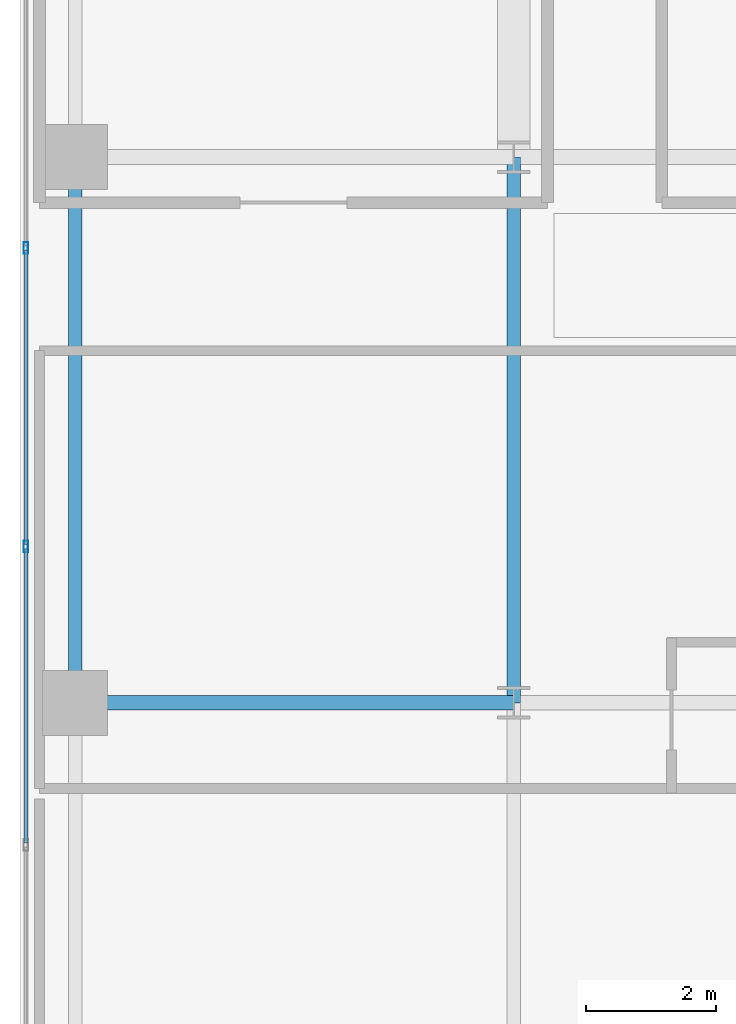
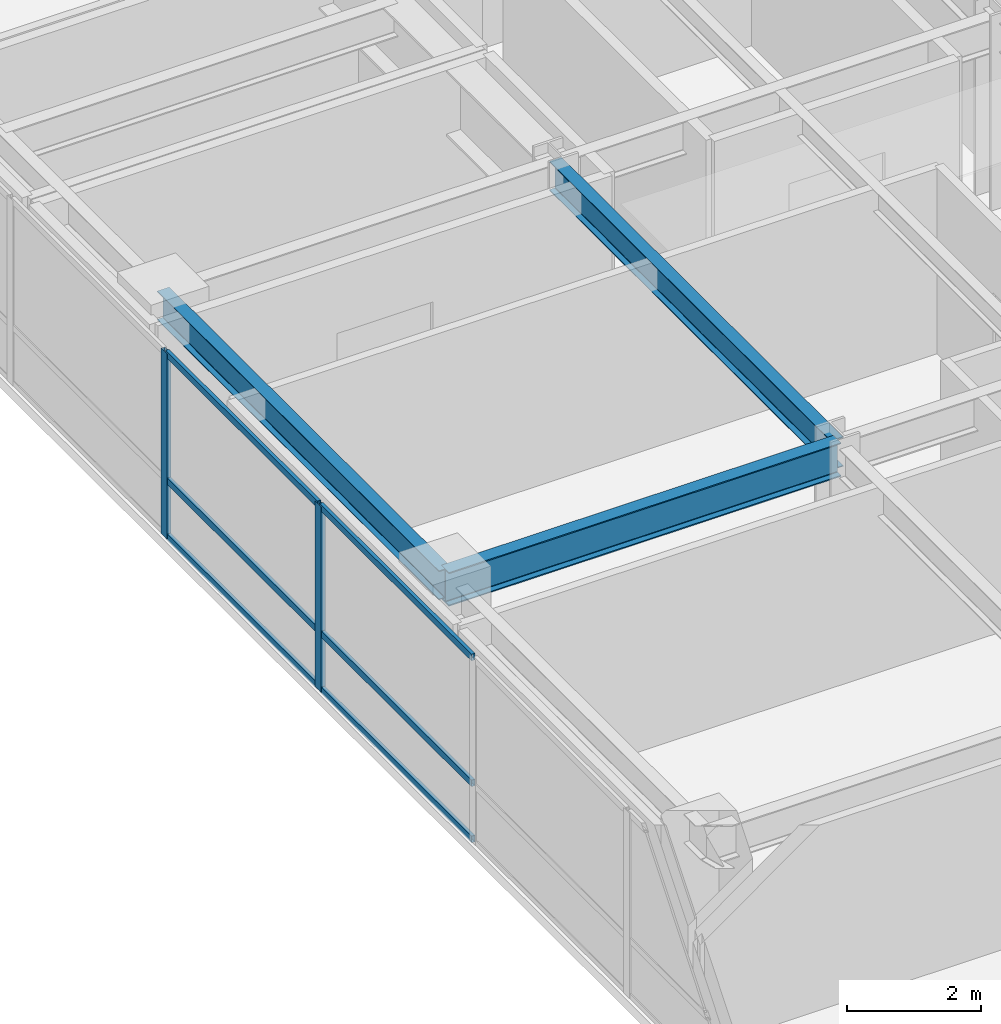
# One storey, part 8 of 37: 8 members, 3 beams, 1 element without a shape of its own.
"""IFC4 building model written with IfcOpenShell, lengths in metres."""

from ifc_helpers import new_model, si_unit, direction, frame, origin, origin_2d, place, context, subcontext, project, spatial, hollow_rectangle, i_section, extrude, source, transform, mapped, material, layer, layer_set, material_profile, profile_set, type_object, type_shapes, element, aggregate, save


model = new_model("IFC4")

# Units and contexts
model_context = context("Model", 3, precision=1e-05, world=origin(), true_north=direction((0.0, 1.0)))
body_context = subcontext(model_context, "Body", "Model", "MODEL_VIEW")
ifc_project = project(units=[si_unit("LENGTHUNIT", "METRE"), si_unit("AREAUNIT", "SQUARE_METRE"), si_unit("VOLUMEUNIT", "CUBIC_METRE"), si_unit("PLANEANGLEUNIT", "RADIAN"), si_unit("MASSUNIT", "GRAM", prefix="KILO")], contexts=[model_context])

# Site, building, storey
site_placement = place(None, origin())
site = spatial("IfcSite", under=ifc_project, at=site_placement, CompositionType="ELEMENT")
building_placement = place(site_placement, origin())
building = spatial("IfcBuilding", under=site, at=building_placement, Name="Tolvann Quenvar Hotel", CompositionType="ELEMENT")
storey_placement = place(building_placement, frame((0.0, 0.0, 53.300048828125)))
storey = spatial("IfcBuildingStorey", under=building, at=storey_placement, Name="L12", CompositionType="ELEMENT", Elevation=53.300048828125)

# Beams
ifc_material_1 = material(Name="Steel Grade 350", Category="steel")
ifc_material_profile_1 = material_profile(ifc_material_1, i_section(OverallWidth=0.22900390625, OverallDepth=0.612060546875, WebThickness=0.011962890625, FlangeThickness=0.01953125, FilletRadius=0.013916015625, at=origin_2d()), Name="610UB125")
ifc_profile_set_1 = profile_set([ifc_material_profile_1], Name="Steel Grade 350")
beam_type_1 = type_object("IfcBeamType", Name="BM_GIRD_610UB125", PredefinedType="BEAM", material=ifc_profile_set_1)
shared_shape_1 = source(origin(), body_context, "Body", "SweptSolid", [
    extrude(i_section(OverallWidth=0.22900390625, OverallDepth=0.612060546875, WebThickness=0.011962890625, FlangeThickness=0.01953125, FilletRadius=0.013916015625, at=origin_2d()), origin(), (0.0, 0.0, 1.0), 6.75),
])
type_shapes(beam_type_1, [shared_shape_1])
beam_1_placement = place(storey_placement, frame((0.85009765625, 16.0, 3.06396484375), z_axis=(1.0, 0.0, 0.0), x_axis=(0.0, 1.0, 0.0)))
element("IfcBeam", 1, at=beam_1_placement, inside=storey, type_object=beam_type_1, Name="BM-L12-EW-4-B4-C4", PredefinedType="BEAM", context=body_context, shape_type="MappedRepresentation", body=[
    mapped(shared_shape_1, transform((0.0, 0.0, 0.0), x_axis=(1.0, 0.0, 0.0), y_axis=(0.0, 1.0, 0.0), z_axis=(0.0, 0.0, 1.0), scale=1.0)),
])
ifc_material_profile_2 = material_profile(ifc_material_1, i_section(OverallWidth=0.208984375, OverallDepth=0.528076171875, WebThickness=0.009521484375, FlangeThickness=0.01318359375, FilletRadius=0.013916015625, at=origin_2d()), Name="530UB82")
ifc_profile_set_2 = profile_set([ifc_material_profile_2], Name="Steel Grade 350")
beam_type_2 = type_object("IfcBeamType", Name="BM_SPAND_530UB82", PredefinedType="SPANDREL", material=ifc_profile_set_2)
shared_shape_2 = source(origin(), body_context, "Body", "SweptSolid", [
    extrude(i_section(OverallWidth=0.208984375, OverallDepth=0.528076171875, WebThickness=0.009521484375, FlangeThickness=0.01318359375, FilletRadius=0.013916015625, at=origin_2d()), origin(), (0.0, 0.0, 1.0), 8.39990234375),
])
type_shapes(beam_type_2, [shared_shape_2])
beam_2_placement = place(storey_placement, frame((0.85009765625, 16.0, 3.10595703125), z_axis=(0.0, 1.0, 0.0), x_axis=(-1.0, 0.0, 0.0)))
element("IfcBeam", 2, at=beam_2_placement, inside=storey, type_object=beam_type_2, Name="BM-L12-NS-B4-B5", PredefinedType="SPANDREL", context=body_context, shape_type="MappedRepresentation", body=[
    mapped(shared_shape_2, transform((0.0, 0.0, 0.0), x_axis=(1.0, 0.0, 0.0), y_axis=(0.0, 1.0, 0.0), z_axis=(0.0, 0.0, 1.0), scale=1.0)),
])
ifc_material_profile_3 = material_profile(ifc_material_1, i_section(OverallWidth=0.208984375, OverallDepth=0.532958984375, WebThickness=0.01025390625, FlangeThickness=0.015625, FilletRadius=0.013916015625, at=origin_2d()), Name="530UB92")
ifc_profile_set_3 = profile_set([ifc_material_profile_3], Name="Steel Grade 350")
beam_type_3 = type_object("IfcBeamType", Name="BM_GIRD_530UB92", PredefinedType="BEAM", material=ifc_profile_set_3)
shared_shape_3 = source(origin(), body_context, "Body", "SweptSolid", [
    extrude(i_section(OverallWidth=0.208984375, OverallDepth=0.532958984375, WebThickness=0.01025390625, FlangeThickness=0.015625, FilletRadius=0.013916015625, at=origin_2d()), origin(), (0.0, 0.0, 1.0), 8.39990234375),
])
type_shapes(beam_type_3, [shared_shape_3])
beam_3_placement = place(storey_placement, frame((7.60009765625, 16.0, 3.103515625), z_axis=(0.0, 1.0, 0.0), x_axis=(-1.0, 0.0, 0.0)))
element("IfcBeam", 3, at=beam_3_placement, inside=storey, type_object=beam_type_3, Name="BM-L12-NS-C4-C5", PredefinedType="BEAM", context=body_context, shape_type="MappedRepresentation", body=[
    mapped(shared_shape_3, transform((0.0, 0.0, 0.0), x_axis=(1.0, 0.0, 0.0), y_axis=(0.0, 1.0, 0.0), z_axis=(0.0, 0.0, 1.0), scale=1.0)),
])

# Curtain wall, members
ifc_material_2 = material(Name="Thermally broken anodised architectural aluminium 6063-T6 and laminated low-E glass", Category="aluminium")
ifc_layer = layer(ifc_material_2, 0.179931640625)
ifc_layer_set = layer_set([ifc_layer], Name="Thermally broken anodised architectural aluminium 6063-T6 and laminated low-E glass")
curtain_wall_type = type_object("IfcCurtainWallType", Name="CW_SYS_BAND_04", PredefinedType="USERDEFINED", material=ifc_layer_set)
curtain_wall_placement = place(storey_placement, origin())
curtain_wall = element("IfcCurtainWall", 4, at=curtain_wall_placement, inside=storey, type_object=curtain_wall_type, Name="Curtain Wall CW-BAND-04 (CWR-L12-E23)", ObjectType="UNITISED CURTAIN WALL", PredefinedType="USERDEFINED")
ifc_material_3 = material(Name="Anodised architectural aluminium 6063-T6 framing", Category="aluminium")
ifc_material_profile_4 = material_profile(ifc_material_3, hollow_rectangle(XDim=0.070068359375, YDim=0.179931640625, WallThickness=0.00390625, at=origin_2d()), Name="180x70x4RHS")
ifc_profile_set_4 = profile_set([ifc_material_profile_4], Name="Anodised architectural aluminium 6063-T6 framing")
member_type_1 = type_object("IfcMemberType", Name="CW_MULL_180x70", PredefinedType="MULLION", material=ifc_profile_set_4)
shared_shape_4 = source(origin(), body_context, "Body", "SweptSolid", [
    extrude(hollow_rectangle(XDim=0.070068359375, YDim=0.179931640625, WallThickness=0.00390625, at=origin_2d()), origin(), (0.0, 0.0, 1.0), 3.369873046875),
])
type_shapes(member_type_1, [shared_shape_4])
member_1_placement = place(storey_placement, frame((0.090087890625, 23.0, 0.0), z_axis=(0.0, 0.0, 1.0), x_axis=(1.0, 0.0, 0.0)))
member_1 = element("IfcMember", 5, at=member_1_placement, type_object=member_type_1, Name="CW-BAND-04 mullion 5", PredefinedType="MULLION", context=body_context, shape_type="MappedRepresentation", body=[
    mapped(shared_shape_4, transform((0.0, 0.0, 0.0), x_axis=(1.0, 0.0, 0.0), y_axis=(0.0, 1.0, 0.0), z_axis=(0.0, 0.0, 1.0), scale=1.0)),
])
member_2_placement = place(storey_placement, frame((0.090087890625, 18.404296875, 0.0), z_axis=(0.0, 0.0, 1.0), x_axis=(1.0, 0.0, 0.0)))
member_2 = element("IfcMember", 6, at=member_2_placement, type_object=member_type_1, Name="CW-BAND-04 mullion 6", PredefinedType="MULLION", context=body_context, shape_type="MappedRepresentation", body=[
    mapped(shared_shape_4, transform((0.0, 0.0, 0.0), x_axis=(1.0, 0.0, 0.0), y_axis=(0.0, 1.0, 0.0), z_axis=(0.0, 0.0, 1.0), scale=1.0)),
])
ifc_material_profile_5 = material_profile(ifc_material_3, hollow_rectangle(XDim=0.06005859375, YDim=0.1201171875, WallThickness=0.00341796875, at=origin_2d()), Name="120x60x3.5RHS")
ifc_profile_set_5 = profile_set([ifc_material_profile_5], Name="Anodised architectural aluminium 6063-T6 framing")
member_type_2 = type_object("IfcMemberType", Name="CW_TRAN_120x60", PredefinedType="USERDEFINED", material=ifc_profile_set_5)
shared_shape_5 = source(origin(), body_context, "Body", "SweptSolid", [
    extrude(hollow_rectangle(XDim=0.06005859375, YDim=0.1201171875, WallThickness=0.00341796875, at=origin_2d()), origin(), (0.0, 0.0, 1.0), 4.52587890625),
])
type_shapes(member_type_2, [shared_shape_5])
member_3_placement = place(storey_placement, frame((0.090087890625, 22.965087890625, 0.030029296875), z_axis=(0.0, -1.0, 0.0), x_axis=(1.0, 0.0, 0.0)))
member_3 = element("IfcMember", 7, at=member_3_placement, type_object=member_type_2, Name="CW-BAND-04 transom 5.1", ObjectType="TRANSOM", PredefinedType="USERDEFINED", context=body_context, shape_type="MappedRepresentation", body=[
    mapped(shared_shape_5, transform((0.0, 0.0, 0.0), x_axis=(1.0, 0.0, 0.0), y_axis=(0.0, 1.0, 0.0), z_axis=(0.0, 0.0, 1.0), scale=1.0)),
])
member_4_placement = place(storey_placement, frame((0.090087890625, 22.965087890625, 1.050048828125), z_axis=(0.0, -1.0, 0.0), x_axis=(1.0, 0.0, 0.0)))
member_4 = element("IfcMember", 8, at=member_4_placement, type_object=member_type_2, Name="CW-BAND-04 transom 5.2", ObjectType="TRANSOM", PredefinedType="USERDEFINED", context=body_context, shape_type="MappedRepresentation", body=[
    mapped(shared_shape_5, transform((0.0, 0.0, 0.0), x_axis=(1.0, 0.0, 0.0), y_axis=(0.0, 1.0, 0.0), z_axis=(0.0, 0.0, 1.0), scale=1.0)),
])
member_5_placement = place(storey_placement, frame((0.090087890625, 22.965087890625, 3.33984375), z_axis=(0.0, -1.0, 0.0), x_axis=(1.0, 0.0, 0.0)))
member_5 = element("IfcMember", 9, at=member_5_placement, type_object=member_type_2, Name="CW-BAND-04 transom 5.3", ObjectType="TRANSOM", PredefinedType="USERDEFINED", context=body_context, shape_type="MappedRepresentation", body=[
    mapped(shared_shape_5, transform((0.0, 0.0, 0.0), x_axis=(1.0, 0.0, 0.0), y_axis=(0.0, 1.0, 0.0), z_axis=(0.0, 0.0, 1.0), scale=1.0)),
])
member_6_placement = place(storey_placement, frame((0.090087890625, 18.369384765625, 0.030029296875), z_axis=(0.0, -1.0, 0.0), x_axis=(1.0, 0.0, 0.0)))
member_6 = element("IfcMember", 10, at=member_6_placement, type_object=member_type_2, Name="CW-BAND-04 transom 6.1", ObjectType="TRANSOM", PredefinedType="USERDEFINED", context=body_context, shape_type="MappedRepresentation", body=[
    mapped(shared_shape_5, transform((0.0, 0.0, 0.0), x_axis=(1.0, 0.0, 0.0), y_axis=(0.0, 1.0, 0.0), z_axis=(0.0, 0.0, 1.0), scale=1.0)),
])
member_7_placement = place(storey_placement, frame((0.090087890625, 18.369384765625, 1.050048828125), z_axis=(0.0, -1.0, 0.0), x_axis=(1.0, 0.0, 0.0)))
member_7 = element("IfcMember", 11, at=member_7_placement, type_object=member_type_2, Name="CW-BAND-04 transom 6.2", ObjectType="TRANSOM", PredefinedType="USERDEFINED", context=body_context, shape_type="MappedRepresentation", body=[
    mapped(shared_shape_5, transform((0.0, 0.0, 0.0), x_axis=(1.0, 0.0, 0.0), y_axis=(0.0, 1.0, 0.0), z_axis=(0.0, 0.0, 1.0), scale=1.0)),
])
member_8_placement = place(storey_placement, frame((0.090087890625, 18.369384765625, 3.33984375), z_axis=(0.0, -1.0, 0.0), x_axis=(1.0, 0.0, 0.0)))
member_8 = element("IfcMember", 12, at=member_8_placement, type_object=member_type_2, Name="CW-BAND-04 transom 6.3", ObjectType="TRANSOM", PredefinedType="USERDEFINED", context=body_context, shape_type="MappedRepresentation", body=[
    mapped(shared_shape_5, transform((0.0, 0.0, 0.0), x_axis=(1.0, 0.0, 0.0), y_axis=(0.0, 1.0, 0.0), z_axis=(0.0, 0.0, 1.0), scale=1.0)),
])
aggregate(curtain_wall, [member_1, member_2, member_3, member_4, member_5, member_6, member_7, member_8])

save(model, "model.ifc")
